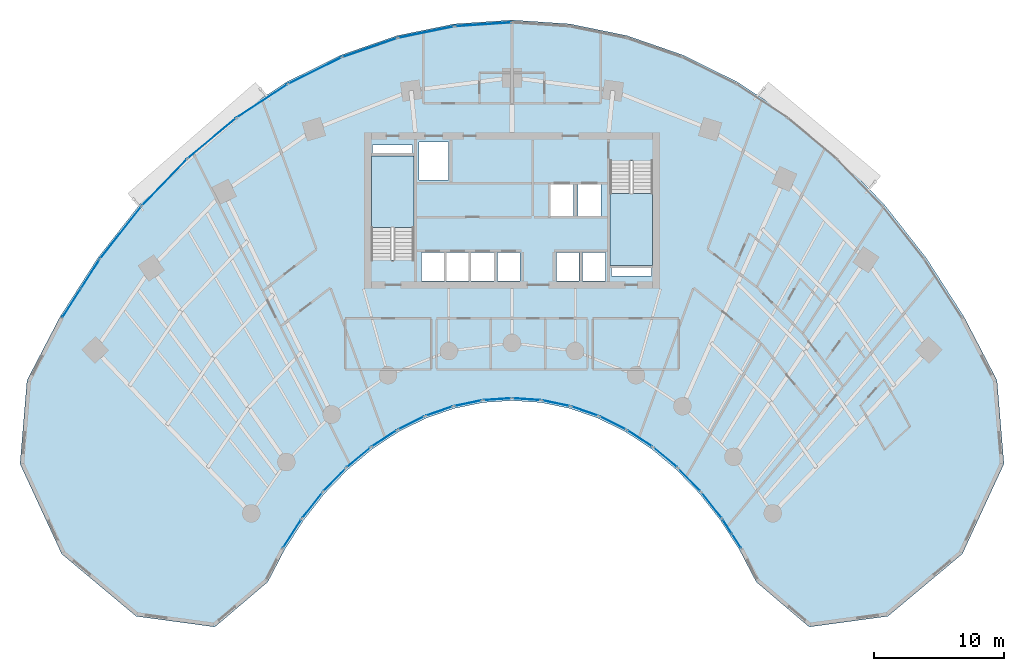
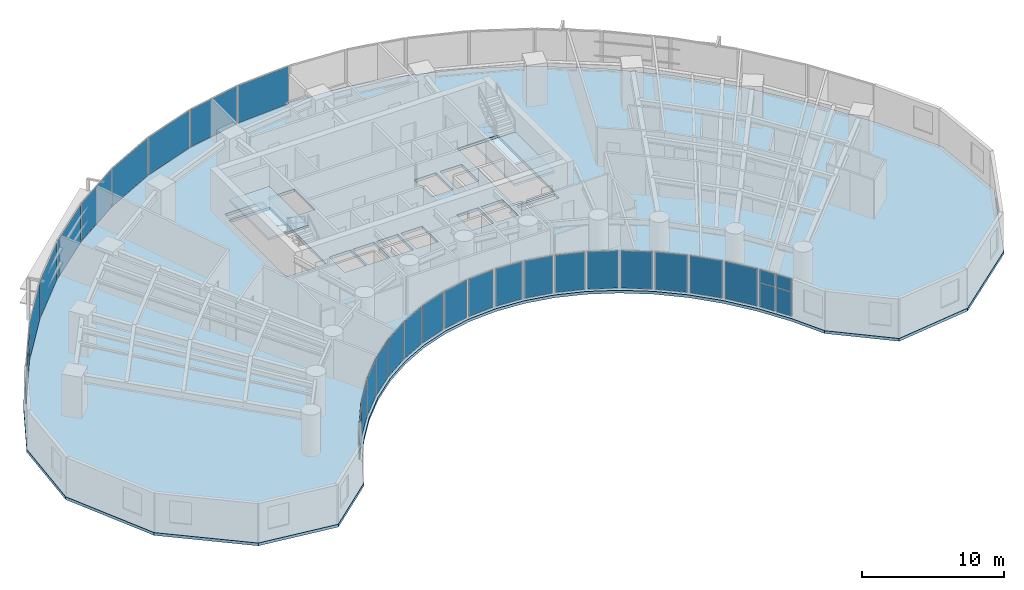
# One storey, part 9 of 17: 33 plates, 3 slabs, 29 elements without a shape of their own.
"""IFC4 building model written with IfcOpenShell, lengths in metres."""

from ifc_helpers import new_model, si_unit, direction, frame, origin, origin_2d, place, context, subcontext, project, spatial, polyline, rectangle, outline, extrude, source, transform, mapped, material, layer, layer_set, type_object, type_shapes, element, aggregate, save


model = new_model("IFC4")

# Units and contexts
model_context = context("Model", 3, precision=1e-05, world=origin(), true_north=direction((0.0, 1.0)))
body_context = subcontext(model_context, "Body", "Model", "MODEL_VIEW")
ifc_project = project(units=[si_unit("LENGTHUNIT", "METRE"), si_unit("AREAUNIT", "SQUARE_METRE"), si_unit("VOLUMEUNIT", "CUBIC_METRE"), si_unit("PLANEANGLEUNIT", "RADIAN"), si_unit("MASSUNIT", "GRAM", prefix="KILO")], contexts=[model_context])

# Site, building, storey
site_placement = place(None, origin())
site = spatial("IfcSite", under=ifc_project, at=site_placement, CompositionType="ELEMENT")
building_placement = place(site_placement, origin())
building = spatial("IfcBuilding", under=site, at=building_placement, Name="Breltana Convention Tower", CompositionType="ELEMENT")
storey_placement = place(building_placement, frame((0.0, 0.0, 64.199951171875)))
storey = spatial("IfcBuildingStorey", under=building, at=storey_placement, Name="L14", CompositionType="ELEMENT", Elevation=64.199951171875)

# Slab
ifc_material_1 = material(Name="Concrete C40/50", Category="concrete")
ifc_layer_1 = layer(ifc_material_1, 0.239990234375, Name="Concrete C40/50")
ifc_layer_set_1 = layer_set([ifc_layer_1], Name="Concrete C40/50")
slab_type_1 = type_object("IfcSlabType", Name="SL-HTL-240", PredefinedType="FLOOR", material=ifc_layer_set_1)
slab_1_placement = place(storey_placement, frame((0.0, 0.0, -0.239990234375)))
element("IfcSlab", 1, at=slab_1_placement, inside=storey, type_object=slab_type_1, Name="L14 Suspended Structural Floor Slab", PredefinedType="FLOOR", context=body_context, shape_type="SweptSolid", body=[
    extrude(outline(polyline([(85.229248046875, 53.173095703125), (82.687744140625, 58.054931640625), (79.791015625, 62.567626953125), (76.569091796875, 66.664794921875), (73.05419921875, 70.304931640625), (69.283203125, 73.450439453125), (65.2939453125, 76.069091796875), (61.1279296875, 78.134033203125), (56.827392578125, 79.62451171875), (52.436279296875, 80.52490234375), (48.0, 80.825927734375), (43.563720703125, 80.52490234375), (39.172607421875, 79.62451171875), (34.8720703125, 78.134033203125), (30.7060546875, 76.069091796875), (26.716796875, 73.450439453125), (22.94580078125, 70.304931640625), (19.430908203125, 66.664794921875), (16.208984375, 62.567626953125), (13.312255859375, 58.054931640625), (10.770751953125, 53.173095703125), (10.234619140625, 46.75927734375), (13.433837890625, 39.8388671875), (19.14697265625, 35.055419921875), (25.191162109375, 34.235595703125), (29.258056640625, 37.693115234375), (30.53759765625, 40.150634765625), (31.995849609375, 42.42236328125), (33.617919921875, 44.485107421875), (35.38720703125, 46.3173828125), (37.28564453125, 47.90087890625), (39.2939453125, 49.21923828125), (41.39111328125, 50.2587890625), (43.55615234375, 51.009033203125), (45.7666015625, 51.46240234375), (48.0, 51.614013671875), (50.2333984375, 51.46240234375), (52.44384765625, 51.009033203125), (54.60888671875, 50.2587890625), (56.7060546875, 49.21923828125), (58.71435546875, 47.90087890625), (60.61279296875, 46.3173828125), (62.382080078125, 44.485107421875), (64.004150390625, 42.42236328125), (65.46240234375, 40.150634765625), (66.741943359375, 37.693115234375), (70.808837890625, 34.235595703125), (76.85302734375, 35.055419921875), (82.566162109375, 39.8388671875), (85.765380859375, 46.75927734375), (85.229248046875, 53.173095703125)]), holes=[polyline([(37.199951171875, 62.385009765625), (40.469970703125, 62.385009765625), (40.469970703125, 70.39990234375), (37.199951171875, 70.39990234375), (37.199951171875, 62.385009765625)]), polyline([(55.530029296875, 62.0), (58.800048828125, 62.0), (58.800048828125, 70.014892578125), (55.530029296875, 70.014892578125), (55.530029296875, 62.0)]), polyline([(41.0400390625, 60.800048828125), (42.800048828125, 60.800048828125), (42.800048828125, 62.97998046875), (41.0400390625, 62.97998046875), (41.0400390625, 60.800048828125)]), polyline([(42.93994140625, 60.800048828125), (44.699951171875, 60.800048828125), (44.699951171875, 62.97998046875), (42.93994140625, 62.97998046875), (42.93994140625, 60.800048828125)]), polyline([(44.8701171875, 60.800048828125), (46.6298828125, 60.800048828125), (46.6298828125, 62.97998046875), (44.8701171875, 62.97998046875), (44.8701171875, 60.800048828125)]), polyline([(46.8701171875, 60.800048828125), (48.6298828125, 60.800048828125), (48.6298828125, 62.97998046875), (46.8701171875, 62.97998046875), (46.8701171875, 60.800048828125)]), polyline([(51.39990234375, 60.800048828125), (53.159912109375, 60.800048828125), (53.159912109375, 62.97998046875), (51.39990234375, 62.97998046875), (51.39990234375, 60.800048828125)]), polyline([(53.39990234375, 60.800048828125), (55.159912109375, 60.800048828125), (55.159912109375, 62.97998046875), (53.39990234375, 62.97998046875), (53.39990234375, 60.800048828125)]), polyline([(50.969970703125, 65.800048828125), (52.72998046875, 65.800048828125), (52.72998046875, 68.179931640625), (50.969970703125, 68.179931640625), (50.969970703125, 65.800048828125)]), polyline([(53.070068359375, 65.800048828125), (54.830078125, 65.800048828125), (54.830078125, 68.179931640625), (53.070068359375, 68.179931640625), (53.070068359375, 65.800048828125)]), polyline([(40.8798828125, 68.550048828125), (43.1201171875, 68.550048828125), (43.1201171875, 71.449951171875), (40.8798828125, 71.449951171875), (40.8798828125, 68.550048828125)]), polyline([(37.300048828125, 70.60009765625), (40.3798828125, 70.60009765625), (40.3798828125, 71.219970703125), (37.300048828125, 71.219970703125), (37.300048828125, 70.60009765625)]), polyline([(55.6201171875, 61.179931640625), (58.699951171875, 61.179931640625), (58.699951171875, 61.800048828125), (55.6201171875, 61.800048828125), (55.6201171875, 61.179931640625)])]), origin(), (0.0, 0.0, 1.0), 0.239990234375),
])

# Stair, slab
stair_type = type_object("IfcStairType", Name="ST-DOG-1560-R180", PredefinedType="HALF_TURN_STAIR", material=ifc_material_1)
stair_1_placement = place(storey_placement, origin())
stair_1 = element("IfcStair", 2, at=stair_1_placement, inside=storey, type_object=stair_type, Name="L14 Protected Core Exit Stair ST-1", PredefinedType="HALF_TURN_STAIR")
ifc_layer_2 = layer(ifc_material_1, 0.199951171875, Name="Concrete C40/50")
ifc_layer_set_2 = layer_set([ifc_layer_2], Name="Concrete C40/50")
slab_type_2 = type_object("IfcSlabType", Name="SL-STAIR-LANDING-200", PredefinedType="LANDING", material=ifc_layer_set_2)
slab_2_placement = place(storey_placement, frame((0.0, 0.0, 1.60009765625)))
slab_2 = element("IfcSlab", 3, at=slab_2_placement, type_object=slab_type_2, Name="ST-1 landing 1", PredefinedType="LANDING", context=body_context, shape_type="SweptSolid", body=[
    extrude(outline(polyline([(40.469970703125, 64.8798828125), (40.469970703125, 70.39990234375), (37.199951171875, 70.39990234375), (37.199951171875, 64.8798828125), (40.469970703125, 64.8798828125)])), origin(), (0.0, 0.0, 1.0), 0.199951171875),
])
aggregate(stair_1, [slab_2])

stair_2_placement = place(storey_placement, origin())
stair_2 = element("IfcStair", 4, at=stair_2_placement, inside=storey, type_object=stair_type, Name="L14 Protected Core Exit Stair ST-2", PredefinedType="HALF_TURN_STAIR")
slab_3_placement = place(storey_placement, frame((0.0, 0.0, 1.60009765625)))
slab_3 = element("IfcSlab", 5, at=slab_3_placement, type_object=slab_type_2, Name="ST-2 landing 1", PredefinedType="LANDING", context=body_context, shape_type="SweptSolid", body=[
    extrude(outline(polyline([(55.530029296875, 67.52001953125), (55.530029296875, 62.0), (58.800048828125, 62.0), (58.800048828125, 67.52001953125), (55.530029296875, 67.52001953125)])), origin(), (0.0, 0.0, 1.0), 0.199951171875),
])
aggregate(stair_2, [slab_3])

# Curtain wall, plates
ifc_material_2 = material(Name="Aluminium Anodised Bronze Frame", Category="aluminium")
ifc_layer_3 = layer(ifc_material_2, 0.18994140625, Name="Aluminium Anodised Bronze Frame")
ifc_layer_set_3 = layer_set([ifc_layer_3], Name="Aluminium Anodised Bronze Frame")
curtain_wall_type_1 = type_object("IfcCurtainWallType", Name="CW-SYS-1", PredefinedType="NOTDEFINED", material=ifc_layer_set_3)
curtain_wall_1_placement = place(storey_placement, origin())
curtain_wall_1 = element("IfcCurtainWall", 6, at=curtain_wall_1_placement, inside=storey, type_object=curtain_wall_type_1, Name="L14 inner south-court glazing 1", PredefinedType="NOTDEFINED")
ifc_material_3 = material(Name="Glass Low-E Double Glazing", Category="glass")
ifc_layer_4 = layer(ifc_material_3, 0.028076171875, Name="Glass Low-E Double Glazing")
ifc_layer_set_4 = layer_set([ifc_layer_4], Name="Glass Low-E Double Glazing")
plate_type_1 = type_object("IfcPlateType", Name="CWP-IGU-28", PredefinedType="CURTAIN_PANEL", material=ifc_layer_set_4)
shared_shape_1 = source(origin(), body_context, "Body", "SweptSolid", [
    extrude(rectangle(XDim=1.229736328125, YDim=0.028076171875, at=origin_2d()), origin(), (0.0, 0.0, 1.0), 2.06396484375),
])
plate_1_placement = place(storey_placement, frame((65.238525390625, 40.83251953125, 0.080078125), z_axis=(0.0, 0.0, 1.0), x_axis=(-0.540169576197, 0.841556194767, 0.0)))
plate_1 = element("IfcPlate", 7, at=plate_1_placement, type_object=plate_type_1, Name="CW-01 panel 1.1", PredefinedType="CURTAIN_PANEL", context=body_context, shape_type="MappedRepresentation", body=[
    mapped(shared_shape_1, transform((0.0, 0.0, 0.0), scale=1.0)),
])
plate_2_placement = place(storey_placement, frame((64.531005859375, 41.934814453125, 0.080078125), z_axis=(0.0, 0.0, 1.0), x_axis=(-0.540169576197, 0.841556194767, 0.0)))
plate_2 = element("IfcPlate", 8, at=plate_2_placement, type_object=plate_type_1, Name="CW-01 panel 2.1", PredefinedType="CURTAIN_PANEL", context=body_context, shape_type="MappedRepresentation", body=[
    mapped(shared_shape_1, transform((0.0, 0.0, 0.0), scale=1.0)),
])
shared_shape_2 = source(origin(), body_context, "Body", "SweptSolid", [
    extrude(rectangle(XDim=1.229736328125, YDim=0.028076171875, at=origin_2d()), origin(), (0.0, 0.0, 1.0), 1.055908203125),
])
plate_3_placement = place(storey_placement, frame((65.238525390625, 40.83251953125, 2.22412109375), z_axis=(0.0, 0.0, 1.0), x_axis=(-0.540169576197, 0.841556194767, 0.0)))
plate_3 = element("IfcPlate", 9, at=plate_3_placement, type_object=plate_type_1, Name="CW-01 panel 1.2", PredefinedType="CURTAIN_PANEL", context=body_context, shape_type="MappedRepresentation", body=[
    mapped(shared_shape_2, transform((0.0, 0.0, 0.0), scale=1.0)),
])
plate_4_placement = place(storey_placement, frame((64.531005859375, 41.934814453125, 2.22412109375), z_axis=(0.0, 0.0, 1.0), x_axis=(-0.540169576197, 0.841556194767, 0.0)))
plate_4 = element("IfcPlate", 10, at=plate_4_placement, type_object=plate_type_1, Name="CW-01 panel 2.2", PredefinedType="CURTAIN_PANEL", context=body_context, shape_type="MappedRepresentation", body=[
    mapped(shared_shape_2, transform((0.0, 0.0, 0.0), scale=1.0)),
])
aggregate(curtain_wall_1, [plate_1, plate_3, plate_2, plate_4])

# Curtain wall, plate
curtain_wall_2_placement = place(storey_placement, origin())
curtain_wall_2 = element("IfcCurtainWall", 11, at=curtain_wall_2_placement, inside=storey, type_object=curtain_wall_type_1, Name="L14 inner south-court glazing 2", PredefinedType="NOTDEFINED")
shared_shape_3 = source(origin(), body_context, "Body", "SweptSolid", [
    extrude(rectangle(XDim=2.464111328125, YDim=0.028076171875, at=origin_2d()), origin(), (0.0, 0.0, 1.0), 3.199951171875),
])
plate_5_placement = place(storey_placement, frame((63.334716796875, 43.56494140625, 0.080078125), z_axis=(0.0, 0.0, 1.0), x_axis=(-0.61815305034, 0.786057762734, 0.0)))
plate_5 = element("IfcPlate", 12, at=plate_5_placement, type_object=plate_type_1, Name="CW-01 panel 1.1", PredefinedType="CURTAIN_PANEL", context=body_context, shape_type="MappedRepresentation", body=[
    mapped(shared_shape_3, transform((0.0, 0.0, 0.0), scale=1.0)),
])
aggregate(curtain_wall_2, [plate_5])

curtain_wall_3_placement = place(storey_placement, origin())
curtain_wall_3 = element("IfcCurtainWall", 13, at=curtain_wall_3_placement, inside=storey, type_object=curtain_wall_type_1, Name="L14 inner south-court glazing 17", PredefinedType="NOTDEFINED")
plate_6_placement = place(storey_placement, frame((32.665283203125, 43.56494140625, 0.080078125), z_axis=(0.0, 0.0, 1.0), x_axis=(-0.61815305034, -0.786057762734, 0.0)))
plate_6 = element("IfcPlate", 14, at=plate_6_placement, type_object=plate_type_1, Name="CW-01 panel 1.1", PredefinedType="CURTAIN_PANEL", context=body_context, shape_type="MappedRepresentation", body=[
    mapped(shared_shape_3, transform((0.0, 0.0, 0.0), scale=1.0)),
])
aggregate(curtain_wall_3, [plate_6])

curtain_wall_4_placement = place(storey_placement, origin())
curtain_wall_4 = element("IfcCurtainWall", 15, at=curtain_wall_4_placement, inside=storey, type_object=curtain_wall_type_1, Name="L14 inner south-court glazing 3", PredefinedType="NOTDEFINED")
shared_shape_4 = source(origin(), body_context, "Body", "SweptSolid", [
    extrude(rectangle(XDim=2.38720703125, YDim=0.028076171875, at=origin_2d()), origin(), (0.0, 0.0, 1.0), 3.199951171875),
])
plate_7_placement = place(storey_placement, frame((61.626953125, 45.5263671875, 0.080078125), z_axis=(0.0, 0.0, 1.0), x_axis=(-0.694612029111, 0.719384548773, 0.0)))
plate_7 = element("IfcPlate", 16, at=plate_7_placement, type_object=plate_type_1, Name="CW-01 panel 1.1", PredefinedType="CURTAIN_PANEL", context=body_context, shape_type="MappedRepresentation", body=[
    mapped(shared_shape_4, transform((0.0, 0.0, 0.0), scale=1.0)),
])
aggregate(curtain_wall_4, [plate_7])

curtain_wall_5_placement = place(storey_placement, origin())
curtain_wall_5 = element("IfcCurtainWall", 17, at=curtain_wall_5_placement, inside=storey, type_object=curtain_wall_type_1, Name="L14 inner south-court glazing 16", PredefinedType="NOTDEFINED")
plate_8_placement = place(storey_placement, frame((34.373046875, 45.5263671875, 0.080078125), z_axis=(0.0, 0.0, 1.0), x_axis=(-0.694612029111, -0.719384548773, 0.0)))
plate_8 = element("IfcPlate", 18, at=plate_8_placement, type_object=plate_type_1, Name="CW-01 panel 1.1", PredefinedType="CURTAIN_PANEL", context=body_context, shape_type="MappedRepresentation", body=[
    mapped(shared_shape_4, transform((0.0, 0.0, 0.0), scale=1.0)),
])
aggregate(curtain_wall_5, [plate_8])

curtain_wall_6_placement = place(storey_placement, origin())
curtain_wall_6 = element("IfcCurtainWall", 19, at=curtain_wall_6_placement, inside=storey, type_object=curtain_wall_type_1, Name="L14 inner south-court glazing 4", PredefinedType="NOTDEFINED")
shared_shape_5 = source(origin(), body_context, "Body", "SweptSolid", [
    extrude(rectangle(XDim=2.312255859375, YDim=0.028076171875, at=origin_2d()), origin(), (0.0, 0.0, 1.0), 3.199951171875),
])
plate_9_placement = place(storey_placement, frame((59.77880859375, 47.24755859375, 0.080078125), z_axis=(0.0, 0.0, 1.0), x_axis=(-0.767939382804, 0.640522524458, 0.0)))
plate_9 = element("IfcPlate", 20, at=plate_9_placement, type_object=plate_type_1, Name="CW-01 panel 1.1", PredefinedType="CURTAIN_PANEL", context=body_context, shape_type="MappedRepresentation", body=[
    mapped(shared_shape_5, transform((0.0, 0.0, 0.0), scale=1.0)),
])
aggregate(curtain_wall_6, [plate_9])

curtain_wall_7_placement = place(storey_placement, origin())
curtain_wall_7 = element("IfcCurtainWall", 21, at=curtain_wall_7_placement, inside=storey, type_object=curtain_wall_type_1, Name="L14 inner south-court glazing 15", PredefinedType="NOTDEFINED")
plate_10_placement = place(storey_placement, frame((36.22119140625, 47.24755859375, 0.080078125), z_axis=(0.0, 0.0, 1.0), x_axis=(-0.767939382804, -0.640522524458, 0.0)))
plate_10 = element("IfcPlate", 22, at=plate_10_placement, type_object=plate_type_1, Name="CW-01 panel 1.1", PredefinedType="CURTAIN_PANEL", context=body_context, shape_type="MappedRepresentation", body=[
    mapped(shared_shape_5, transform((0.0, 0.0, 0.0), scale=1.0)),
])
aggregate(curtain_wall_7, [plate_10])

curtain_wall_8_placement = place(storey_placement, origin())
curtain_wall_8 = element("IfcCurtainWall", 23, at=curtain_wall_8_placement, inside=storey, type_object=curtain_wall_type_1, Name="L14 inner south-court glazing 5", PredefinedType="NOTDEFINED")
shared_shape_6 = source(origin(), body_context, "Body", "SweptSolid", [
    extrude(rectangle(XDim=2.2421875, YDim=0.028076171875, at=origin_2d()), origin(), (0.0, 0.0, 1.0), 3.199951171875),
])
plate_11_placement = place(storey_placement, frame((57.80908203125, 48.710693359375, 0.080078125), z_axis=(0.0, 0.0, 1.0), x_axis=(-0.835967942634, 0.548778278441, 0.0)))
plate_11 = element("IfcPlate", 24, at=plate_11_placement, type_object=plate_type_1, Name="CW-01 panel 1.1", PredefinedType="CURTAIN_PANEL", context=body_context, shape_type="MappedRepresentation", body=[
    mapped(shared_shape_6, transform((0.0, 0.0, 0.0), scale=1.0)),
])
aggregate(curtain_wall_8, [plate_11])

curtain_wall_9_placement = place(storey_placement, origin())
curtain_wall_9 = element("IfcCurtainWall", 25, at=curtain_wall_9_placement, inside=storey, type_object=curtain_wall_type_1, Name="L14 inner south-court glazing 14", PredefinedType="NOTDEFINED")
plate_12_placement = place(storey_placement, frame((38.19091796875, 48.710693359375, 0.080078125), z_axis=(0.0, 0.0, 1.0), x_axis=(-0.835967942634, -0.548778278441, 0.0)))
plate_12 = element("IfcPlate", 26, at=plate_12_placement, type_object=plate_type_1, Name="CW-01 panel 1.1", PredefinedType="CURTAIN_PANEL", context=body_context, shape_type="MappedRepresentation", body=[
    mapped(shared_shape_6, transform((0.0, 0.0, 0.0), scale=1.0)),
])
aggregate(curtain_wall_9, [plate_12])

curtain_wall_10_placement = place(storey_placement, origin())
curtain_wall_10 = element("IfcCurtainWall", 27, at=curtain_wall_10_placement, inside=storey, type_object=curtain_wall_type_1, Name="L14 inner south-court glazing 6", PredefinedType="NOTDEFINED")
shared_shape_7 = source(origin(), body_context, "Body", "SweptSolid", [
    extrude(rectangle(XDim=2.180908203125, YDim=0.028076171875, at=origin_2d()), origin(), (0.0, 0.0, 1.0), 3.199951171875),
])
plate_13_placement = place(storey_placement, frame((55.7373046875, 49.900390625, 0.080078125), z_axis=(0.0, 0.0, 1.0), x_axis=(-0.895968310315, 0.444117987602, 0.0)))
plate_13 = element("IfcPlate", 28, at=plate_13_placement, type_object=plate_type_1, Name="CW-01 panel 1.1", PredefinedType="CURTAIN_PANEL", context=body_context, shape_type="MappedRepresentation", body=[
    mapped(shared_shape_7, transform((0.0, 0.0, 0.0), scale=1.0)),
])
aggregate(curtain_wall_10, [plate_13])

curtain_wall_11_placement = place(storey_placement, origin())
curtain_wall_11 = element("IfcCurtainWall", 29, at=curtain_wall_11_placement, inside=storey, type_object=curtain_wall_type_1, Name="L14 inner south-court glazing 13", PredefinedType="NOTDEFINED")
plate_14_placement = place(storey_placement, frame((40.2626953125, 49.900390625, 0.080078125), z_axis=(0.0, 0.0, 1.0), x_axis=(-0.895968310315, -0.444117987602, 0.0)))
plate_14 = element("IfcPlate", 30, at=plate_14_placement, type_object=plate_type_1, Name="CW-01 panel 1.1", PredefinedType="CURTAIN_PANEL", context=body_context, shape_type="MappedRepresentation", body=[
    mapped(shared_shape_7, transform((0.0, 0.0, 0.0), scale=1.0)),
])
aggregate(curtain_wall_11, [plate_14])

curtain_wall_12_placement = place(storey_placement, origin())
curtain_wall_12 = element("IfcCurtainWall", 31, at=curtain_wall_12_placement, inside=storey, type_object=curtain_wall_type_1, Name="L14 inner south-court glazing 7", PredefinedType="NOTDEFINED")
shared_shape_8 = source(origin(), body_context, "Body", "SweptSolid", [
    extrude(rectangle(XDim=2.13134765625, YDim=0.028076171875, at=origin_2d()), origin(), (0.0, 0.0, 1.0), 3.199951171875),
])
plate_15_placement = place(storey_placement, frame((53.585205078125, 50.80419921875, 0.080078125), z_axis=(0.0, 0.0, 1.0), x_axis=(-0.944881211406, 0.327413341714, 0.0)))
plate_15 = element("IfcPlate", 32, at=plate_15_placement, type_object=plate_type_1, Name="CW-01 panel 1.1", PredefinedType="CURTAIN_PANEL", context=body_context, shape_type="MappedRepresentation", body=[
    mapped(shared_shape_8, transform((0.0, 0.0, 0.0), scale=1.0)),
])
aggregate(curtain_wall_12, [plate_15])

curtain_wall_13_placement = place(storey_placement, origin())
curtain_wall_13 = element("IfcCurtainWall", 33, at=curtain_wall_13_placement, inside=storey, type_object=curtain_wall_type_1, Name="L14 inner south-court glazing 12", PredefinedType="NOTDEFINED")
plate_16_placement = place(storey_placement, frame((42.414794921875, 50.80419921875, 0.080078125), z_axis=(0.0, 0.0, 1.0), x_axis=(-0.944881211406, -0.327413341714, 0.0)))
plate_16 = element("IfcPlate", 34, at=plate_16_placement, type_object=plate_type_1, Name="CW-01 panel 1.1", PredefinedType="CURTAIN_PANEL", context=body_context, shape_type="MappedRepresentation", body=[
    mapped(shared_shape_8, transform((0.0, 0.0, 0.0), scale=1.0)),
])
aggregate(curtain_wall_13, [plate_16])

curtain_wall_14_placement = place(storey_placement, origin())
curtain_wall_14 = element("IfcCurtainWall", 35, at=curtain_wall_14_placement, inside=storey, type_object=curtain_wall_type_1, Name="L14 inner south-court glazing 8", PredefinedType="NOTDEFINED")
shared_shape_9 = source(origin(), body_context, "Body", "SweptSolid", [
    extrude(rectangle(XDim=2.096435546875, YDim=0.028076171875, at=origin_2d()), origin(), (0.0, 0.0, 1.0), 3.199951171875),
])
plate_17_placement = place(storey_placement, frame((51.374755859375, 51.412109375, 0.080078125), z_axis=(0.0, 0.0, 1.0), x_axis=(-0.97961455393, 0.200886350278, 0.0)))
plate_17 = element("IfcPlate", 36, at=plate_17_placement, type_object=plate_type_1, Name="CW-01 panel 1.1", PredefinedType="CURTAIN_PANEL", context=body_context, shape_type="MappedRepresentation", body=[
    mapped(shared_shape_9, transform((0.0, 0.0, 0.0), scale=1.0)),
])
aggregate(curtain_wall_14, [plate_17])

curtain_wall_15_placement = place(storey_placement, origin())
curtain_wall_15 = element("IfcCurtainWall", 37, at=curtain_wall_15_placement, inside=storey, type_object=curtain_wall_type_1, Name="L14 inner south-court glazing 11", PredefinedType="NOTDEFINED")
plate_18_placement = place(storey_placement, frame((44.625244140625, 51.412109375, 0.080078125), z_axis=(0.0, 0.0, 1.0), x_axis=(-0.97961455393, -0.200886350278, 0.0)))
plate_18 = element("IfcPlate", 38, at=plate_18_placement, type_object=plate_type_1, Name="CW-01 panel 1.1", PredefinedType="CURTAIN_PANEL", context=body_context, shape_type="MappedRepresentation", body=[
    mapped(shared_shape_9, transform((0.0, 0.0, 0.0), scale=1.0)),
])
aggregate(curtain_wall_15, [plate_18])

curtain_wall_16_placement = place(storey_placement, origin())
curtain_wall_16 = element("IfcCurtainWall", 39, at=curtain_wall_16_placement, inside=storey, type_object=curtain_wall_type_1, Name="L14 inner south-court glazing 9", PredefinedType="NOTDEFINED")
shared_shape_10 = source(origin(), body_context, "Body", "SweptSolid", [
    extrude(rectangle(XDim=2.078369140625, YDim=0.028076171875, at=origin_2d()), origin(), (0.0, 0.0, 1.0), 3.199951171875),
])
plate_19_placement = place(storey_placement, frame((49.12890625, 51.7177734375, 0.080078125), z_axis=(0.0, 0.0, 1.0), x_axis=(-0.997703975371, 0.067725752326, 0.0)))
plate_19 = element("IfcPlate", 40, at=plate_19_placement, type_object=plate_type_1, Name="CW-01 panel 1.1", PredefinedType="CURTAIN_PANEL", context=body_context, shape_type="MappedRepresentation", body=[
    mapped(shared_shape_10, transform((0.0, 0.0, 0.0), scale=1.0)),
])
aggregate(curtain_wall_16, [plate_19])

curtain_wall_17_placement = place(storey_placement, origin())
curtain_wall_17 = element("IfcCurtainWall", 41, at=curtain_wall_17_placement, inside=storey, type_object=curtain_wall_type_1, Name="L14 inner south-court glazing 10", PredefinedType="NOTDEFINED")
plate_20_placement = place(storey_placement, frame((46.87109375, 51.7177734375, 0.080078125), z_axis=(0.0, 0.0, 1.0), x_axis=(-0.997703975371, -0.067725752326, 0.0)))
plate_20 = element("IfcPlate", 42, at=plate_20_placement, type_object=plate_type_1, Name="CW-01 panel 1.1", PredefinedType="CURTAIN_PANEL", context=body_context, shape_type="MappedRepresentation", body=[
    mapped(shared_shape_10, transform((0.0, 0.0, 0.0), scale=1.0)),
])
aggregate(curtain_wall_17, [plate_20])

curtain_wall_18_placement = place(storey_placement, origin())
curtain_wall_18 = element("IfcCurtainWall", 43, at=curtain_wall_18_placement, inside=storey, type_object=curtain_wall_type_1, Name="L14 inner south-court glazing 18", PredefinedType="NOTDEFINED")
shared_shape_11 = source(origin(), body_context, "Body", "SweptSolid", [
    extrude(rectangle(XDim=2.53955078125, YDim=0.028076171875, at=origin_2d()), origin(), (0.0, 0.0, 1.0), 3.199951171875),
])
plate_21_placement = place(storey_placement, frame((31.115234375, 41.3837890625, 0.080078125), z_axis=(0.0, 0.0, 1.0), x_axis=(-0.540169576197, -0.841556194767, 0.0)))
plate_21 = element("IfcPlate", 44, at=plate_21_placement, type_object=plate_type_1, Name="CW-01 panel 1.1", PredefinedType="CURTAIN_PANEL", context=body_context, shape_type="MappedRepresentation", body=[
    mapped(shared_shape_11, transform((0.0, 0.0, 0.0), scale=1.0)),
])
aggregate(curtain_wall_18, [plate_21])

# Curtain wall, plates
ifc_layer_5 = layer(ifc_material_2, 0.199951171875, Name="Aluminium Anodised Bronze Frame")
ifc_layer_set_5 = layer_set([ifc_layer_5], Name="Aluminium Anodised Bronze Frame")
curtain_wall_type_2 = type_object("IfcCurtainWallType", Name="CW-SYS-2", PredefinedType="NOTDEFINED", material=ifc_layer_set_5)
curtain_wall_19_placement = place(storey_placement, origin())
curtain_wall_19 = element("IfcCurtainWall", 45, at=curtain_wall_19_placement, inside=storey, type_object=curtain_wall_type_2, Name="L14 outer double-skin inner glazing 1", PredefinedType="NOTDEFINED")
ifc_layer_6 = layer(ifc_material_3, 0.031982421875, Name="Glass Low-E Double Glazing")
ifc_layer_set_6 = layer_set([ifc_layer_6], Name="Glass Low-E Double Glazing")
plate_type_2 = type_object("IfcPlateType", Name="CWP-IGU-32", PredefinedType="CURTAIN_PANEL", material=ifc_layer_set_6)
shared_shape_12 = source(origin(), body_context, "Body", "SweptSolid", [
    extrude(rectangle(XDim=2.56787109375, YDim=0.031982421875, at=origin_2d()), origin(), (0.0, 0.0, 1.0), 2.0791015625),
])
type_shapes(plate_type_2, [shared_shape_12])
plate_22_placement = place(storey_placement, frame((14.199462890625, 59.103759765625, 0.070068359375), z_axis=(0.0, 0.0, 1.0), x_axis=(0.540180724109, 0.841549039154, 0.0)))
plate_22 = element("IfcPlate", 46, at=plate_22_placement, type_object=plate_type_2, Name="CW-02 panel 1.1", PredefinedType="CURTAIN_PANEL", context=body_context, shape_type="MappedRepresentation", body=[
    mapped(shared_shape_12, transform((0.0, 0.0, 0.0), scale=1.0)),
])
plate_23_placement = place(storey_placement, frame((15.624267578125, 61.32373046875, 0.070068359375), z_axis=(0.0, 0.0, 1.0), x_axis=(0.540180724109, 0.841549039154, 0.0)))
plate_23 = element("IfcPlate", 47, at=plate_23_placement, type_object=plate_type_2, Name="CW-02 panel 2.1", PredefinedType="CURTAIN_PANEL", context=body_context, shape_type="MappedRepresentation", body=[
    mapped(shared_shape_12, transform((0.0, 0.0, 0.0), scale=1.0)),
])
shared_shape_13 = source(origin(), body_context, "Body", "SweptSolid", [
    extrude(rectangle(XDim=2.56787109375, YDim=0.031982421875, at=origin_2d()), origin(), (0.0, 0.0, 1.0), 1.071044921875),
])
plate_24_placement = place(storey_placement, frame((14.199462890625, 59.103759765625, 2.21923828125), z_axis=(0.0, 0.0, 1.0), x_axis=(0.540180724109, 0.841549039154, 0.0)))
plate_24 = element("IfcPlate", 48, at=plate_24_placement, type_object=plate_type_2, Name="CW-02 panel 1.2", PredefinedType="CURTAIN_PANEL", context=body_context, shape_type="MappedRepresentation", body=[
    mapped(shared_shape_13, transform((0.0, 0.0, 0.0), scale=1.0)),
])
plate_25_placement = place(storey_placement, frame((15.624267578125, 61.32373046875, 2.21923828125), z_axis=(0.0, 0.0, 1.0), x_axis=(0.540180724109, 0.841549039154, 0.0)))
plate_25 = element("IfcPlate", 49, at=plate_25_placement, type_object=plate_type_2, Name="CW-02 panel 2.2", PredefinedType="CURTAIN_PANEL", context=body_context, shape_type="MappedRepresentation", body=[
    mapped(shared_shape_13, transform((0.0, 0.0, 0.0), scale=1.0)),
])
aggregate(curtain_wall_19, [plate_22, plate_24, plate_23, plate_25])

# Curtain wall, plate
curtain_wall_20_placement = place(storey_placement, origin())
curtain_wall_20 = element("IfcCurtainWall", 50, at=curtain_wall_20_placement, inside=storey, type_object=curtain_wall_type_2, Name="L14 outer double-skin inner glazing 2", PredefinedType="NOTDEFINED")
shared_shape_14 = source(origin(), body_context, "Body", "SweptSolid", [
    extrude(rectangle(XDim=5.0546875, YDim=0.031982421875, at=origin_2d()), origin(), (0.0, 0.0, 1.0), 3.219970703125),
])
plate_26_placement = place(storey_placement, frame((17.961181640625, 64.504638671875, 0.06982421875), z_axis=(0.0, 0.0, 1.0), x_axis=(0.618153917633, 0.786057080698, 0.0)))
plate_26 = element("IfcPlate", 51, at=plate_26_placement, type_object=plate_type_2, Name="CW-02 panel 1.1", PredefinedType="CURTAIN_PANEL", context=body_context, shape_type="MappedRepresentation", body=[
    mapped(shared_shape_14, transform((0.0, 0.0, 0.0), scale=1.0)),
])
aggregate(curtain_wall_20, [plate_26])

curtain_wall_21_placement = place(storey_placement, origin())
curtain_wall_21 = element("IfcCurtainWall", 52, at=curtain_wall_21_placement, inside=storey, type_object=curtain_wall_type_2, Name="L14 outer double-skin inner glazing 3", PredefinedType="NOTDEFINED")
shared_shape_15 = source(origin(), body_context, "Body", "SweptSolid", [
    extrude(rectangle(XDim=4.901123046875, YDim=0.031982421875, at=origin_2d()), origin(), (0.0, 0.0, 1.0), 3.219970703125),
])
plate_27_placement = place(storey_placement, frame((21.317626953125, 68.359619140625, 0.06982421875), z_axis=(0.0, 0.0, 1.0), x_axis=(0.694610090106, 0.719386421003, 0.0)))
plate_27 = element("IfcPlate", 53, at=plate_27_placement, type_object=plate_type_2, Name="CW-02 panel 1.1", PredefinedType="CURTAIN_PANEL", context=body_context, shape_type="MappedRepresentation", body=[
    mapped(shared_shape_15, transform((0.0, 0.0, 0.0), scale=1.0)),
])
aggregate(curtain_wall_21, [plate_27])

curtain_wall_22_placement = place(storey_placement, origin())
curtain_wall_22 = element("IfcCurtainWall", 54, at=curtain_wall_22_placement, inside=storey, type_object=curtain_wall_type_2, Name="L14 outer double-skin inner glazing 4", PredefinedType="NOTDEFINED")
shared_shape_16 = source(origin(), body_context, "Body", "SweptSolid", [
    extrude(rectangle(XDim=4.7509765625, YDim=0.031982421875, at=origin_2d()), origin(), (0.0, 0.0, 1.0), 3.219970703125),
])
plate_28_placement = place(storey_placement, frame((24.9462890625, 71.7392578125, 0.06982421875), z_axis=(0.0, 0.0, 1.0), x_axis=(0.767941326958, 0.640520193554, 0.0)))
plate_28 = element("IfcPlate", 55, at=plate_28_placement, type_object=plate_type_2, Name="CW-02 panel 1.1", PredefinedType="CURTAIN_PANEL", context=body_context, shape_type="MappedRepresentation", body=[
    mapped(shared_shape_16, transform((0.0, 0.0, 0.0), scale=1.0)),
])
aggregate(curtain_wall_22, [plate_28])

curtain_wall_23_placement = place(storey_placement, origin())
curtain_wall_23 = element("IfcCurtainWall", 56, at=curtain_wall_23_placement, inside=storey, type_object=curtain_wall_type_2, Name="L14 outer double-skin inner glazing 5", PredefinedType="NOTDEFINED")
shared_shape_17 = source(origin(), body_context, "Body", "SweptSolid", [
    extrude(rectangle(XDim=4.610595703125, YDim=0.031982421875, at=origin_2d()), origin(), (0.0, 0.0, 1.0), 3.219970703125),
])
plate_29_placement = place(storey_placement, frame((28.81005859375, 74.609130859375, 0.06982421875), z_axis=(0.0, 0.0, 1.0), x_axis=(0.83596401875, 0.548784255746, 0.0)))
plate_29 = element("IfcPlate", 57, at=plate_29_placement, type_object=plate_type_2, Name="CW-02 panel 1.1", PredefinedType="CURTAIN_PANEL", context=body_context, shape_type="MappedRepresentation", body=[
    mapped(shared_shape_17, transform((0.0, 0.0, 0.0), scale=1.0)),
])
aggregate(curtain_wall_23, [plate_29])

curtain_wall_24_placement = place(storey_placement, origin())
curtain_wall_24 = element("IfcCurtainWall", 58, at=curtain_wall_24_placement, inside=storey, type_object=curtain_wall_type_2, Name="L14 outer double-skin inner glazing 6", PredefinedType="NOTDEFINED")
shared_shape_18 = source(origin(), body_context, "Body", "SweptSolid", [
    extrude(rectangle(XDim=4.487548828125, YDim=0.031982421875, at=origin_2d()), origin(), (0.0, 0.0, 1.0), 3.219970703125),
])
plate_30_placement = place(storey_placement, frame((32.86865234375, 76.940185546875, 0.06982421875), z_axis=(0.0, 0.0, 1.0), x_axis=(0.895973407804, 0.444107703726, 0.0)))
plate_30 = element("IfcPlate", 59, at=plate_30_placement, type_object=plate_type_2, Name="CW-02 panel 1.1", PredefinedType="CURTAIN_PANEL", context=body_context, shape_type="MappedRepresentation", body=[
    mapped(shared_shape_18, transform((0.0, 0.0, 0.0), scale=1.0)),
])
aggregate(curtain_wall_24, [plate_30])

curtain_wall_25_placement = place(storey_placement, origin())
curtain_wall_25 = element("IfcCurtainWall", 60, at=curtain_wall_25_placement, inside=storey, type_object=curtain_wall_type_2, Name="L14 outer double-skin inner glazing 7", PredefinedType="NOTDEFINED")
shared_shape_19 = source(origin(), body_context, "Body", "SweptSolid", [
    extrude(rectangle(XDim=4.388427734375, YDim=0.031982421875, at=origin_2d()), origin(), (0.0, 0.0, 1.0), 3.219970703125),
])
plate_31_placement = place(storey_placement, frame((37.0810546875, 78.709228515625, 0.06982421875), z_axis=(0.0, 0.0, 1.0), x_axis=(0.944876012163, 0.32742834581, 0.0)))
plate_31 = element("IfcPlate", 61, at=plate_31_placement, type_object=plate_type_2, Name="CW-02 panel 1.1", PredefinedType="CURTAIN_PANEL", context=body_context, shape_type="MappedRepresentation", body=[
    mapped(shared_shape_19, transform((0.0, 0.0, 0.0), scale=1.0)),
])
aggregate(curtain_wall_25, [plate_31])

curtain_wall_26_placement = place(storey_placement, origin())
curtain_wall_26 = element("IfcCurtainWall", 62, at=curtain_wall_26_placement, inside=storey, type_object=curtain_wall_type_2, Name="L14 outer double-skin inner glazing 8", PredefinedType="NOTDEFINED")
shared_shape_20 = source(origin(), body_context, "Body", "SweptSolid", [
    extrude(rectangle(XDim=4.318359375, YDim=0.031982421875, at=origin_2d()), origin(), (0.0, 0.0, 1.0), 3.219970703125),
])
plate_32_placement = place(storey_placement, frame((41.404296875, 79.898193359375, 0.06982421875), z_axis=(0.0, 0.0, 1.0), x_axis=(0.979614925743, 0.200884537139, 0.0)))
plate_32 = element("IfcPlate", 63, at=plate_32_placement, type_object=plate_type_2, Name="CW-02 panel 1.1", PredefinedType="CURTAIN_PANEL", context=body_context, shape_type="MappedRepresentation", body=[
    mapped(shared_shape_20, transform((0.0, 0.0, 0.0), scale=1.0)),
])
aggregate(curtain_wall_26, [plate_32])

curtain_wall_27_placement = place(storey_placement, origin())
curtain_wall_27 = element("IfcCurtainWall", 64, at=curtain_wall_27_placement, inside=storey, type_object=curtain_wall_type_2, Name="L14 outer double-skin inner glazing 9", PredefinedType="NOTDEFINED")
shared_shape_21 = source(origin(), body_context, "Body", "SweptSolid", [
    extrude(rectangle(XDim=4.2822265625, YDim=0.031982421875, at=origin_2d()), origin(), (0.0, 0.0, 1.0), 3.219970703125),
])
plate_33_placement = place(storey_placement, frame((45.7939453125, 80.495849609375, 0.06982421875), z_axis=(0.0, 0.0, 1.0), x_axis=(0.997703982282, 0.067725650529, 0.0)))
plate_33 = element("IfcPlate", 65, at=plate_33_placement, type_object=plate_type_2, Name="CW-02 panel 1.1", PredefinedType="CURTAIN_PANEL", context=body_context, shape_type="MappedRepresentation", body=[
    mapped(shared_shape_21, transform((0.0, 0.0, 0.0), scale=1.0)),
])
aggregate(curtain_wall_27, [plate_33])

save(model, "model.ifc")
